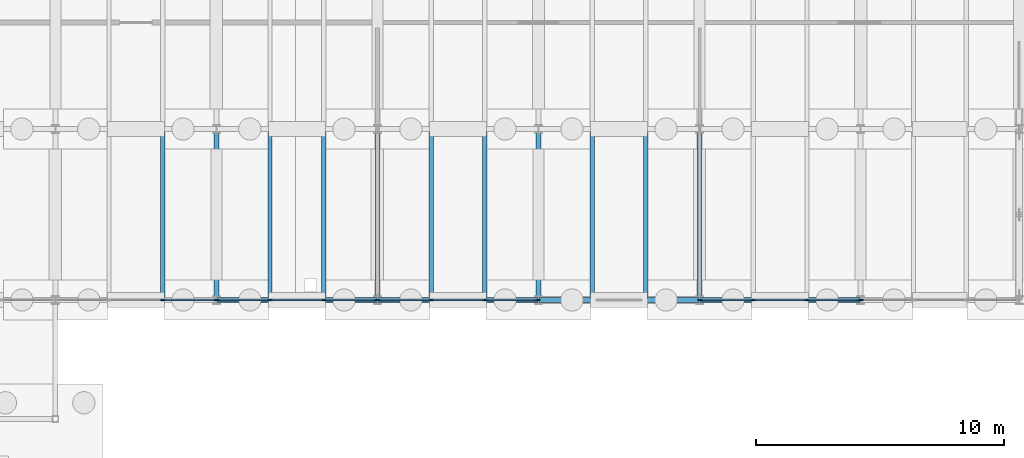
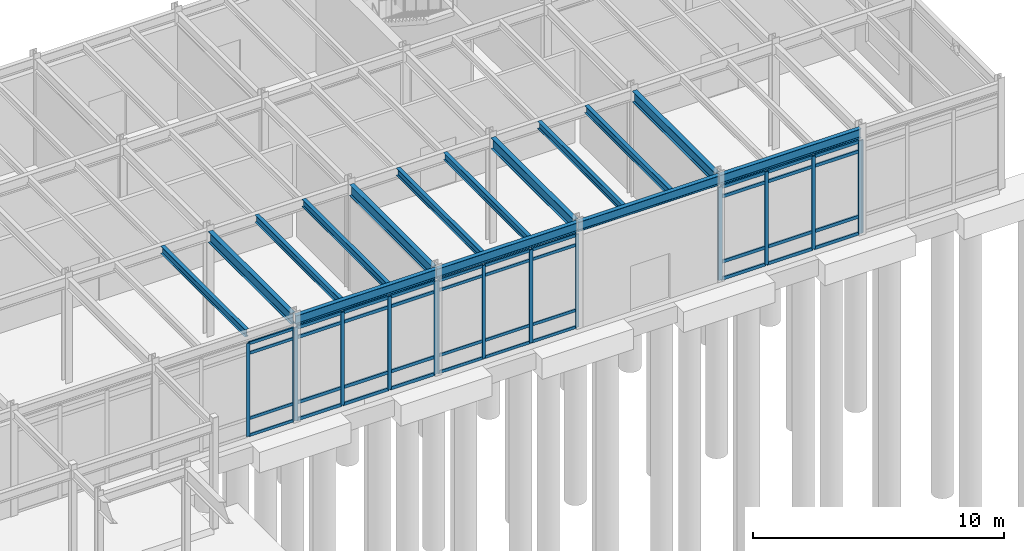
# One storey, part 47 of 82: 55 members, 15 beams, 5 elements without a shape of their own.
"""IFC4 building model written with IfcOpenShell, lengths in metres."""

from ifc_helpers import new_model, si_unit, direction, frame, origin, origin_2d, place, context, subcontext, project, spatial, rectangle, i_section, extrude, material, layer, layer_set, material_profile, profile_set, type_object, element, aggregate, save


model = new_model("IFC4")

# Units and contexts
model_context = context("Model", 3, precision=1e-05, world=origin(), true_north=direction((0.0, 1.0)))
body_context = subcontext(model_context, "Body", "Model", "MODEL_VIEW")
ifc_project = project(units=[si_unit("LENGTHUNIT", "METRE"), si_unit("AREAUNIT", "SQUARE_METRE"), si_unit("VOLUMEUNIT", "CUBIC_METRE"), si_unit("PLANEANGLEUNIT", "RADIAN"), si_unit("MASSUNIT", "GRAM", prefix="KILO")], contexts=[model_context])

# Site, building, storey
site_placement = place(None, origin())
site = spatial("IfcSite", under=ifc_project, at=site_placement, CompositionType="ELEMENT")
building_placement = place(site_placement, origin())
building = spatial("IfcBuilding", under=site, at=building_placement, Name="Trelmorton Wharf Fire Station", CompositionType="ELEMENT")
storey_placement = place(building_placement, origin())
storey = spatial("IfcBuildingStorey", under=building, at=storey_placement, Name="L00", CompositionType="ELEMENT", Elevation=0.0)

# Beams
ifc_material_1 = material(Name="Steel Grade 350", Category="steel")
ifc_material_profile_1 = material_profile(ifc_material_1, i_section(OverallWidth=0.208984375, OverallDepth=0.532958984375, WebThickness=0.01025390625, FlangeThickness=0.015625, FilletRadius=0.013916015625, at=origin_2d()), Name="530UB92.4")
ifc_profile_set_1 = profile_set([ifc_material_profile_1], Name="Steel Grade 350")
beam_type_1 = type_object("IfcBeamType", Name="BM_530UB92", PredefinedType="BEAM", material=ifc_profile_set_1)
for number, where, z_axis, x_axis, name in (
    (1, (130.0, 60.45947265625, 4.863525390625), (0.0, 1.0, 0.0), (-1.0, 0.0, 0.0), "BM-L00-0355"),
    (2, (136.5, 60.45947265625, 4.863525390625), (0.0, 1.0, 0.0), (-1.0, 0.0, 0.0), "BM-L00-0362"),
    (3, (143.0, 60.45947265625, 4.863525390625), (0.0, 1.0, 0.0), (-1.0, 0.0, 0.0), "BM-L00-0369"),
    (4, (149.5, 60.45947265625, 4.863525390625), (0.0, 1.0, 0.0), (-1.0, 0.0, 0.0), "BM-L00-0376"),
):
    element("IfcBeam", number, at=place(storey_placement, frame(where, z_axis=z_axis, x_axis=x_axis)), inside=storey, type_object=beam_type_1, Name=name, PredefinedType="BEAM", context=body_context, shape_type="SweptSolid", body=[
        extrude(i_section(OverallWidth=0.208984375, OverallDepth=0.532958984375, WebThickness=0.01025390625, FlangeThickness=0.015625, FilletRadius=0.013916015625, at=origin_2d()), origin(), (0.0, 0.0, 1.0), 6.5810546875),
    ])

# Curtain wall, members
ifc_material_2 = material(Name="Anodised aluminium AW-6063", Category="aluminium")
ifc_layer = layer(ifc_material_2, 0.159912109375)
ifc_layer_set = layer_set([ifc_layer], Name="Anodised aluminium AW-6063")
curtain_wall_type = type_object("IfcCurtainWallType", Name="CW_CHIC_A", PredefinedType="USERDEFINED", material=ifc_layer_set)
curtain_wall_1_placement = place(storey_placement, origin())
curtain_wall_1 = element("IfcCurtainWall", 5, at=curtain_wall_1_placement, inside=storey, type_object=curtain_wall_type, Name="CW-V4-L00-115", ObjectType="CHICAGO BAY CURTAIN WALL", PredefinedType="USERDEFINED")
ifc_material_profile_2 = material_profile(ifc_material_2, rectangle(XDim=0.06494140625, YDim=0.159912109375, at=origin_2d()), Name="ALU-65x160")
ifc_profile_set_2 = profile_set([ifc_material_profile_2], Name="Anodised aluminium AW-6063")
member_type_1 = type_object("IfcMemberType", Name="CWM_65x160", PredefinedType="MULLION", material=ifc_profile_set_2)
member_1_placement = place(storey_placement, frame((129.965087890625, 60.300048828125, 0.0), z_axis=(0.0, 0.0, 1.0), x_axis=(0.0, -1.0, 0.0)))
member_1 = element("IfcMember", 6, at=member_1_placement, type_object=member_type_1, Name="CW1 mullion 1", PredefinedType="MULLION", context=body_context, shape_type="SweptSolid", body=[
    extrude(rectangle(XDim=0.06494140625, YDim=0.159912109375, at=origin_2d()), origin(), (0.0, 0.0, 1.0), 4.52001953125),
])
member_2_placement = place(storey_placement, frame((127.831787109375, 60.300048828125, 0.0), z_axis=(0.0, 0.0, 1.0), x_axis=(0.0, -1.0, 0.0)))
member_2 = element("IfcMember", 7, at=member_2_placement, type_object=member_type_1, Name="CW1 mullion 2", PredefinedType="MULLION", context=body_context, shape_type="SweptSolid", body=[
    extrude(rectangle(XDim=0.06494140625, YDim=0.159912109375, at=origin_2d()), origin(), (0.0, 0.0, 1.0), 4.52001953125),
])

curtain_wall_2_placement = place(storey_placement, origin())
curtain_wall_2 = element("IfcCurtainWall", 8, at=curtain_wall_2_placement, inside=storey, type_object=curtain_wall_type, Name="CW-V4-L00-117", ObjectType="CHICAGO BAY CURTAIN WALL", PredefinedType="USERDEFINED")
member_3_placement = place(storey_placement, frame((142.965087890625, 60.300048828125, 0.0), z_axis=(0.0, 0.0, 1.0), x_axis=(0.0, -1.0, 0.0)))
member_3 = element("IfcMember", 9, at=member_3_placement, type_object=member_type_1, Name="CW1 mullion 1", PredefinedType="MULLION", context=body_context, shape_type="SweptSolid", body=[
    extrude(rectangle(XDim=0.06494140625, YDim=0.159912109375, at=origin_2d()), origin(), (0.0, 0.0, 1.0), 4.52001953125),
])
member_4_placement = place(storey_placement, frame((140.831787109375, 60.300048828125, 0.0), z_axis=(0.0, 0.0, 1.0), x_axis=(0.0, -1.0, 0.0)))
member_4 = element("IfcMember", 10, at=member_4_placement, type_object=member_type_1, Name="CW1 mullion 2", PredefinedType="MULLION", context=body_context, shape_type="SweptSolid", body=[
    extrude(rectangle(XDim=0.06494140625, YDim=0.159912109375, at=origin_2d()), origin(), (0.0, 0.0, 1.0), 4.52001953125),
])
member_5_placement = place(storey_placement, frame((138.668212890625, 60.300048828125, 0.0), z_axis=(0.0, 0.0, 1.0), x_axis=(0.0, -1.0, 0.0)))
member_5 = element("IfcMember", 11, at=member_5_placement, type_object=member_type_1, Name="CW1 mullion 3", PredefinedType="MULLION", context=body_context, shape_type="SweptSolid", body=[
    extrude(rectangle(XDim=0.06494140625, YDim=0.159912109375, at=origin_2d()), origin(), (0.0, 0.0, 1.0), 4.52001953125),
])
member_6_placement = place(storey_placement, frame((136.534912109375, 60.300048828125, 0.0), z_axis=(0.0, 0.0, 1.0), x_axis=(0.0, -1.0, 0.0)))
member_6 = element("IfcMember", 12, at=member_6_placement, type_object=member_type_1, Name="CW1 mullion 4", PredefinedType="MULLION", context=body_context, shape_type="SweptSolid", body=[
    extrude(rectangle(XDim=0.06494140625, YDim=0.159912109375, at=origin_2d()), origin(), (0.0, 0.0, 1.0), 4.52001953125),
])

# Curtain wall, member
curtain_wall_3_placement = place(storey_placement, origin())
curtain_wall_3 = element("IfcCurtainWall", 13, at=curtain_wall_3_placement, inside=storey, type_object=curtain_wall_type, Name="CW-V4-L00-119", ObjectType="CHICAGO BAY CURTAIN WALL", PredefinedType="USERDEFINED")
member_7_placement = place(storey_placement, frame((156.034912109375, 60.300048828125, 0.0), z_axis=(0.0, 0.0, 1.0), x_axis=(0.0, -1.0, 0.0)))
member_7 = element("IfcMember", 14, at=member_7_placement, type_object=member_type_1, Name="CW1 mullion 4", PredefinedType="MULLION", context=body_context, shape_type="SweptSolid", body=[
    extrude(rectangle(XDim=0.06494140625, YDim=0.159912109375, at=origin_2d()), origin(), (0.0, 0.0, 1.0), 4.52001953125),
])
aggregate(curtain_wall_3, [member_7])

# Curtain wall, members
curtain_wall_4_placement = place(storey_placement, origin())
curtain_wall_4 = element("IfcCurtainWall", 15, at=curtain_wall_4_placement, inside=storey, type_object=curtain_wall_type, Name="CW-V4-L00-116", ObjectType="CHICAGO BAY CURTAIN WALL", PredefinedType="USERDEFINED")
ifc_material_profile_3 = material_profile(ifc_material_2, rectangle(XDim=0.074951171875, YDim=0.175048828125, at=origin_2d()), Name="ALU-75x175")
ifc_profile_set_3 = profile_set([ifc_material_profile_3], Name="Anodised aluminium AW-6063")
member_type_2 = type_object("IfcMemberType", Name="CWM_75x175", PredefinedType="MULLION", material=ifc_profile_set_3)
member_8_placement = place(storey_placement, frame((136.465087890625, 60.300048828125, 0.0), z_axis=(0.0, 0.0, 1.0), x_axis=(0.0, -1.0, 0.0)))
member_8 = element("IfcMember", 16, at=member_8_placement, type_object=member_type_2, Name="CW1 mullion 1", PredefinedType="MULLION", context=body_context, shape_type="SweptSolid", body=[
    extrude(rectangle(XDim=0.074951171875, YDim=0.175048828125, at=origin_2d()), origin(), (0.0, 0.0, 1.0), 4.52001953125),
])
member_9_placement = place(storey_placement, frame((134.331787109375, 60.300048828125, 0.0), z_axis=(0.0, 0.0, 1.0), x_axis=(0.0, -1.0, 0.0)))
member_9 = element("IfcMember", 17, at=member_9_placement, type_object=member_type_2, Name="CW1 mullion 2", PredefinedType="MULLION", context=body_context, shape_type="SweptSolid", body=[
    extrude(rectangle(XDim=0.074951171875, YDim=0.175048828125, at=origin_2d()), origin(), (0.0, 0.0, 1.0), 4.52001953125),
])
member_10_placement = place(storey_placement, frame((132.168212890625, 60.300048828125, 0.0), z_axis=(0.0, 0.0, 1.0), x_axis=(0.0, -1.0, 0.0)))
member_10 = element("IfcMember", 18, at=member_10_placement, type_object=member_type_2, Name="CW1 mullion 3", PredefinedType="MULLION", context=body_context, shape_type="SweptSolid", body=[
    extrude(rectangle(XDim=0.074951171875, YDim=0.175048828125, at=origin_2d()), origin(), (0.0, 0.0, 1.0), 4.52001953125),
])
member_11_placement = place(storey_placement, frame((130.034912109375, 60.300048828125, 0.0), z_axis=(0.0, 0.0, 1.0), x_axis=(0.0, -1.0, 0.0)))
member_11 = element("IfcMember", 19, at=member_11_placement, type_object=member_type_2, Name="CW1 mullion 4", PredefinedType="MULLION", context=body_context, shape_type="SweptSolid", body=[
    extrude(rectangle(XDim=0.074951171875, YDim=0.175048828125, at=origin_2d()), origin(), (0.0, 0.0, 1.0), 4.52001953125),
])

curtain_wall_5_placement = place(storey_placement, origin())
curtain_wall_5 = element("IfcCurtainWall", 20, at=curtain_wall_5_placement, inside=storey, type_object=curtain_wall_type, Name="CW-V4-L00-118", ObjectType="CHICAGO BAY CURTAIN WALL", PredefinedType="USERDEFINED")
member_12_placement = place(storey_placement, frame((155.965087890625, 60.300048828125, 0.0), z_axis=(0.0, 0.0, 1.0), x_axis=(0.0, -1.0, 0.0)))
member_12 = element("IfcMember", 21, at=member_12_placement, type_object=member_type_2, Name="CW1 mullion 1", PredefinedType="MULLION", context=body_context, shape_type="SweptSolid", body=[
    extrude(rectangle(XDim=0.074951171875, YDim=0.175048828125, at=origin_2d()), origin(), (0.0, 0.0, 1.0), 4.52001953125),
])
member_13_placement = place(storey_placement, frame((153.831787109375, 60.300048828125, 0.0), z_axis=(0.0, 0.0, 1.0), x_axis=(0.0, -1.0, 0.0)))
member_13 = element("IfcMember", 22, at=member_13_placement, type_object=member_type_2, Name="CW1 mullion 2", PredefinedType="MULLION", context=body_context, shape_type="SweptSolid", body=[
    extrude(rectangle(XDim=0.074951171875, YDim=0.175048828125, at=origin_2d()), origin(), (0.0, 0.0, 1.0), 4.52001953125),
])
member_14_placement = place(storey_placement, frame((151.668212890625, 60.300048828125, 0.0), z_axis=(0.0, 0.0, 1.0), x_axis=(0.0, -1.0, 0.0)))
member_14 = element("IfcMember", 23, at=member_14_placement, type_object=member_type_2, Name="CW1 mullion 3", PredefinedType="MULLION", context=body_context, shape_type="SweptSolid", body=[
    extrude(rectangle(XDim=0.074951171875, YDim=0.175048828125, at=origin_2d()), origin(), (0.0, 0.0, 1.0), 4.52001953125),
])
member_15_placement = place(storey_placement, frame((149.534912109375, 60.300048828125, 0.0), z_axis=(0.0, 0.0, 1.0), x_axis=(0.0, -1.0, 0.0)))
member_15 = element("IfcMember", 24, at=member_15_placement, type_object=member_type_2, Name="CW1 mullion 4", PredefinedType="MULLION", context=body_context, shape_type="SweptSolid", body=[
    extrude(rectangle(XDim=0.074951171875, YDim=0.175048828125, at=origin_2d()), origin(), (0.0, 0.0, 1.0), 4.52001953125),
])

# Member
ifc_material_profile_4 = material_profile(ifc_material_2, rectangle(XDim=0.06494140625, YDim=0.139892578125, at=origin_2d()), Name="ALU-65x140")
ifc_profile_set_4 = profile_set([ifc_material_profile_4], Name="Anodised aluminium AW-6063")
member_type_3 = type_object("IfcMemberType", Name="CWT_65x140", PredefinedType="USERDEFINED", material=ifc_profile_set_4)
member_16_placement = place(storey_placement, frame((129.93505859375, 60.300048828125, 0.030029296875), z_axis=(-1.0, 0.0, 0.0), x_axis=(0.0, -1.0, 0.0)))
member_16 = element("IfcMember", 25, at=member_16_placement, type_object=member_type_3, Name="CW1 transom 1.1", ObjectType="TRANSOM", PredefinedType="USERDEFINED", context=body_context, shape_type="SweptSolid", body=[
    extrude(rectangle(XDim=0.06494140625, YDim=0.139892578125, at=origin_2d()), origin(), (0.0, 0.0, 1.0), 2.073486328125),
])

member_17_placement = place(storey_placement, frame((129.93505859375, 60.300048828125, 0.85009765625), z_axis=(-1.0, 0.0, 0.0), x_axis=(0.0, -1.0, 0.0)))
member_17 = element("IfcMember", 26, at=member_17_placement, type_object=member_type_3, Name="CW1 transom 1.2", ObjectType="TRANSOM", PredefinedType="USERDEFINED", context=body_context, shape_type="SweptSolid", body=[
    extrude(rectangle(XDim=0.06494140625, YDim=0.139892578125, at=origin_2d()), origin(), (0.0, 0.0, 1.0), 2.073486328125),
])

member_18_placement = place(storey_placement, frame((129.93505859375, 60.300048828125, 4.02001953125), z_axis=(-1.0, 0.0, 0.0), x_axis=(0.0, -1.0, 0.0)))
member_18 = element("IfcMember", 27, at=member_18_placement, type_object=member_type_3, Name="CW1 transom 1.3", ObjectType="TRANSOM", PredefinedType="USERDEFINED", context=body_context, shape_type="SweptSolid", body=[
    extrude(rectangle(XDim=0.06494140625, YDim=0.139892578125, at=origin_2d()), origin(), (0.0, 0.0, 1.0), 2.073486328125),
])

member_19_placement = place(storey_placement, frame((129.93505859375, 60.300048828125, 4.489990234375), z_axis=(-1.0, 0.0, 0.0), x_axis=(0.0, -1.0, 0.0)))
member_19 = element("IfcMember", 28, at=member_19_placement, type_object=member_type_3, Name="CW1 transom 1.4", ObjectType="TRANSOM", PredefinedType="USERDEFINED", context=body_context, shape_type="SweptSolid", body=[
    extrude(rectangle(XDim=0.06494140625, YDim=0.139892578125, at=origin_2d()), origin(), (0.0, 0.0, 1.0), 2.073486328125),
])

aggregate(curtain_wall_1, [member_1, member_2, member_16, member_17, member_18, member_19])

member_20_placement = place(storey_placement, frame((142.93505859375, 60.300048828125, 0.030029296875), z_axis=(-1.0, 0.0, 0.0), x_axis=(0.0, -1.0, 0.0)))
member_20 = element("IfcMember", 29, at=member_20_placement, type_object=member_type_3, Name="CW1 transom 1.1", ObjectType="TRANSOM", PredefinedType="USERDEFINED", context=body_context, shape_type="SweptSolid", body=[
    extrude(rectangle(XDim=0.06494140625, YDim=0.139892578125, at=origin_2d()), origin(), (0.0, 0.0, 1.0), 2.073486328125),
])

member_21_placement = place(storey_placement, frame((142.93505859375, 60.300048828125, 0.85009765625), z_axis=(-1.0, 0.0, 0.0), x_axis=(0.0, -1.0, 0.0)))
member_21 = element("IfcMember", 30, at=member_21_placement, type_object=member_type_3, Name="CW1 transom 1.2", ObjectType="TRANSOM", PredefinedType="USERDEFINED", context=body_context, shape_type="SweptSolid", body=[
    extrude(rectangle(XDim=0.06494140625, YDim=0.139892578125, at=origin_2d()), origin(), (0.0, 0.0, 1.0), 2.073486328125),
])

member_22_placement = place(storey_placement, frame((142.93505859375, 60.300048828125, 4.02001953125), z_axis=(-1.0, 0.0, 0.0), x_axis=(0.0, -1.0, 0.0)))
member_22 = element("IfcMember", 31, at=member_22_placement, type_object=member_type_3, Name="CW1 transom 1.3", ObjectType="TRANSOM", PredefinedType="USERDEFINED", context=body_context, shape_type="SweptSolid", body=[
    extrude(rectangle(XDim=0.06494140625, YDim=0.139892578125, at=origin_2d()), origin(), (0.0, 0.0, 1.0), 2.073486328125),
])

member_23_placement = place(storey_placement, frame((142.93505859375, 60.300048828125, 4.489990234375), z_axis=(-1.0, 0.0, 0.0), x_axis=(0.0, -1.0, 0.0)))
member_23 = element("IfcMember", 32, at=member_23_placement, type_object=member_type_3, Name="CW1 transom 1.4", ObjectType="TRANSOM", PredefinedType="USERDEFINED", context=body_context, shape_type="SweptSolid", body=[
    extrude(rectangle(XDim=0.06494140625, YDim=0.139892578125, at=origin_2d()), origin(), (0.0, 0.0, 1.0), 2.073486328125),
])

member_24_placement = place(storey_placement, frame((140.8017578125, 60.300048828125, 0.030029296875), z_axis=(-1.0, 0.0, 0.0), x_axis=(0.0, -1.0, 0.0)))
member_24 = element("IfcMember", 33, at=member_24_placement, type_object=member_type_3, Name="CW1 transom 2.1", ObjectType="TRANSOM", PredefinedType="USERDEFINED", context=body_context, shape_type="SweptSolid", body=[
    extrude(rectangle(XDim=0.06494140625, YDim=0.139892578125, at=origin_2d()), origin(), (0.0, 0.0, 1.0), 2.103515625),
])

member_25_placement = place(storey_placement, frame((140.8017578125, 60.300048828125, 0.85009765625), z_axis=(-1.0, 0.0, 0.0), x_axis=(0.0, -1.0, 0.0)))
member_25 = element("IfcMember", 34, at=member_25_placement, type_object=member_type_3, Name="CW1 transom 2.2", ObjectType="TRANSOM", PredefinedType="USERDEFINED", context=body_context, shape_type="SweptSolid", body=[
    extrude(rectangle(XDim=0.06494140625, YDim=0.139892578125, at=origin_2d()), origin(), (0.0, 0.0, 1.0), 2.103515625),
])

member_26_placement = place(storey_placement, frame((140.8017578125, 60.300048828125, 4.02001953125), z_axis=(-1.0, 0.0, 0.0), x_axis=(0.0, -1.0, 0.0)))
member_26 = element("IfcMember", 35, at=member_26_placement, type_object=member_type_3, Name="CW1 transom 2.3", ObjectType="TRANSOM", PredefinedType="USERDEFINED", context=body_context, shape_type="SweptSolid", body=[
    extrude(rectangle(XDim=0.06494140625, YDim=0.139892578125, at=origin_2d()), origin(), (0.0, 0.0, 1.0), 2.103515625),
])

member_27_placement = place(storey_placement, frame((140.8017578125, 60.300048828125, 4.489990234375), z_axis=(-1.0, 0.0, 0.0), x_axis=(0.0, -1.0, 0.0)))
member_27 = element("IfcMember", 36, at=member_27_placement, type_object=member_type_3, Name="CW1 transom 2.4", ObjectType="TRANSOM", PredefinedType="USERDEFINED", context=body_context, shape_type="SweptSolid", body=[
    extrude(rectangle(XDim=0.06494140625, YDim=0.139892578125, at=origin_2d()), origin(), (0.0, 0.0, 1.0), 2.103515625),
])

member_28_placement = place(storey_placement, frame((138.638427734375, 60.300048828125, 0.030029296875), z_axis=(-1.0, 0.0, 0.0), x_axis=(0.0, -1.0, 0.0)))
member_28 = element("IfcMember", 37, at=member_28_placement, type_object=member_type_3, Name="CW1 transom 3.1", ObjectType="TRANSOM", PredefinedType="USERDEFINED", context=body_context, shape_type="SweptSolid", body=[
    extrude(rectangle(XDim=0.06494140625, YDim=0.139892578125, at=origin_2d()), origin(), (0.0, 0.0, 1.0), 2.073486328125),
])

member_29_placement = place(storey_placement, frame((138.638427734375, 60.300048828125, 0.85009765625), z_axis=(-1.0, 0.0, 0.0), x_axis=(0.0, -1.0, 0.0)))
member_29 = element("IfcMember", 38, at=member_29_placement, type_object=member_type_3, Name="CW1 transom 3.2", ObjectType="TRANSOM", PredefinedType="USERDEFINED", context=body_context, shape_type="SweptSolid", body=[
    extrude(rectangle(XDim=0.06494140625, YDim=0.139892578125, at=origin_2d()), origin(), (0.0, 0.0, 1.0), 2.073486328125),
])

member_30_placement = place(storey_placement, frame((138.638427734375, 60.300048828125, 4.02001953125), z_axis=(-1.0, 0.0, 0.0), x_axis=(0.0, -1.0, 0.0)))
member_30 = element("IfcMember", 39, at=member_30_placement, type_object=member_type_3, Name="CW1 transom 3.3", ObjectType="TRANSOM", PredefinedType="USERDEFINED", context=body_context, shape_type="SweptSolid", body=[
    extrude(rectangle(XDim=0.06494140625, YDim=0.139892578125, at=origin_2d()), origin(), (0.0, 0.0, 1.0), 2.073486328125),
])

member_31_placement = place(storey_placement, frame((138.638427734375, 60.300048828125, 4.489990234375), z_axis=(-1.0, 0.0, 0.0), x_axis=(0.0, -1.0, 0.0)))
member_31 = element("IfcMember", 40, at=member_31_placement, type_object=member_type_3, Name="CW1 transom 3.4", ObjectType="TRANSOM", PredefinedType="USERDEFINED", context=body_context, shape_type="SweptSolid", body=[
    extrude(rectangle(XDim=0.06494140625, YDim=0.139892578125, at=origin_2d()), origin(), (0.0, 0.0, 1.0), 2.073486328125),
])

aggregate(curtain_wall_2, [member_3, member_4, member_5, member_6, member_20, member_21, member_22, member_23, member_24, member_25, member_26, member_27, member_28, member_29, member_30, member_31])

ifc_material_profile_5 = material_profile(ifc_material_2, rectangle(XDim=0.074951171875, YDim=0.155029296875, at=origin_2d()), Name="ALU-75x155")
ifc_profile_set_5 = profile_set([ifc_material_profile_5], Name="Anodised aluminium AW-6063")
member_type_4 = type_object("IfcMemberType", Name="CWT_75x155", PredefinedType="USERDEFINED", material=ifc_profile_set_5)
member_32_placement = place(storey_placement, frame((136.43505859375, 60.300048828125, 0.030029296875), z_axis=(-1.0, 0.0, 0.0), x_axis=(0.0, -1.0, 0.0)))
member_32 = element("IfcMember", 41, at=member_32_placement, type_object=member_type_4, Name="CW1 transom 1.1", ObjectType="TRANSOM", PredefinedType="USERDEFINED", context=body_context, shape_type="SweptSolid", body=[
    extrude(rectangle(XDim=0.074951171875, YDim=0.155029296875, at=origin_2d()), origin(), (0.0, 0.0, 1.0), 2.073486328125),
])

member_33_placement = place(storey_placement, frame((136.43505859375, 60.300048828125, 0.85009765625), z_axis=(-1.0, 0.0, 0.0), x_axis=(0.0, -1.0, 0.0)))
member_33 = element("IfcMember", 42, at=member_33_placement, type_object=member_type_4, Name="CW1 transom 1.2", ObjectType="TRANSOM", PredefinedType="USERDEFINED", context=body_context, shape_type="SweptSolid", body=[
    extrude(rectangle(XDim=0.074951171875, YDim=0.155029296875, at=origin_2d()), origin(), (0.0, 0.0, 1.0), 2.073486328125),
])

member_34_placement = place(storey_placement, frame((136.43505859375, 60.300048828125, 4.02001953125), z_axis=(-1.0, 0.0, 0.0), x_axis=(0.0, -1.0, 0.0)))
member_34 = element("IfcMember", 43, at=member_34_placement, type_object=member_type_4, Name="CW1 transom 1.3", ObjectType="TRANSOM", PredefinedType="USERDEFINED", context=body_context, shape_type="SweptSolid", body=[
    extrude(rectangle(XDim=0.074951171875, YDim=0.155029296875, at=origin_2d()), origin(), (0.0, 0.0, 1.0), 2.073486328125),
])

member_35_placement = place(storey_placement, frame((136.43505859375, 60.300048828125, 4.489990234375), z_axis=(-1.0, 0.0, 0.0), x_axis=(0.0, -1.0, 0.0)))
member_35 = element("IfcMember", 44, at=member_35_placement, type_object=member_type_4, Name="CW1 transom 1.4", ObjectType="TRANSOM", PredefinedType="USERDEFINED", context=body_context, shape_type="SweptSolid", body=[
    extrude(rectangle(XDim=0.074951171875, YDim=0.155029296875, at=origin_2d()), origin(), (0.0, 0.0, 1.0), 2.073486328125),
])

member_36_placement = place(storey_placement, frame((134.3017578125, 60.300048828125, 0.030029296875), z_axis=(-1.0, 0.0, 0.0), x_axis=(0.0, -1.0, 0.0)))
member_36 = element("IfcMember", 45, at=member_36_placement, type_object=member_type_4, Name="CW1 transom 2.1", ObjectType="TRANSOM", PredefinedType="USERDEFINED", context=body_context, shape_type="SweptSolid", body=[
    extrude(rectangle(XDim=0.074951171875, YDim=0.155029296875, at=origin_2d()), origin(), (0.0, 0.0, 1.0), 2.103515625),
])

member_37_placement = place(storey_placement, frame((134.3017578125, 60.300048828125, 0.85009765625), z_axis=(-1.0, 0.0, 0.0), x_axis=(0.0, -1.0, 0.0)))
member_37 = element("IfcMember", 46, at=member_37_placement, type_object=member_type_4, Name="CW1 transom 2.2", ObjectType="TRANSOM", PredefinedType="USERDEFINED", context=body_context, shape_type="SweptSolid", body=[
    extrude(rectangle(XDim=0.074951171875, YDim=0.155029296875, at=origin_2d()), origin(), (0.0, 0.0, 1.0), 2.103515625),
])

member_38_placement = place(storey_placement, frame((134.3017578125, 60.300048828125, 4.02001953125), z_axis=(-1.0, 0.0, 0.0), x_axis=(0.0, -1.0, 0.0)))
member_38 = element("IfcMember", 47, at=member_38_placement, type_object=member_type_4, Name="CW1 transom 2.3", ObjectType="TRANSOM", PredefinedType="USERDEFINED", context=body_context, shape_type="SweptSolid", body=[
    extrude(rectangle(XDim=0.074951171875, YDim=0.155029296875, at=origin_2d()), origin(), (0.0, 0.0, 1.0), 2.103515625),
])

member_39_placement = place(storey_placement, frame((134.3017578125, 60.300048828125, 4.489990234375), z_axis=(-1.0, 0.0, 0.0), x_axis=(0.0, -1.0, 0.0)))
member_39 = element("IfcMember", 48, at=member_39_placement, type_object=member_type_4, Name="CW1 transom 2.4", ObjectType="TRANSOM", PredefinedType="USERDEFINED", context=body_context, shape_type="SweptSolid", body=[
    extrude(rectangle(XDim=0.074951171875, YDim=0.155029296875, at=origin_2d()), origin(), (0.0, 0.0, 1.0), 2.103515625),
])

member_40_placement = place(storey_placement, frame((132.138427734375, 60.300048828125, 0.030029296875), z_axis=(-1.0, 0.0, 0.0), x_axis=(0.0, -1.0, 0.0)))
member_40 = element("IfcMember", 49, at=member_40_placement, type_object=member_type_4, Name="CW1 transom 3.1", ObjectType="TRANSOM", PredefinedType="USERDEFINED", context=body_context, shape_type="SweptSolid", body=[
    extrude(rectangle(XDim=0.074951171875, YDim=0.155029296875, at=origin_2d()), origin(), (0.0, 0.0, 1.0), 2.073486328125),
])

member_41_placement = place(storey_placement, frame((132.138427734375, 60.300048828125, 0.85009765625), z_axis=(-1.0, 0.0, 0.0), x_axis=(0.0, -1.0, 0.0)))
member_41 = element("IfcMember", 50, at=member_41_placement, type_object=member_type_4, Name="CW1 transom 3.2", ObjectType="TRANSOM", PredefinedType="USERDEFINED", context=body_context, shape_type="SweptSolid", body=[
    extrude(rectangle(XDim=0.074951171875, YDim=0.155029296875, at=origin_2d()), origin(), (0.0, 0.0, 1.0), 2.073486328125),
])

member_42_placement = place(storey_placement, frame((132.138427734375, 60.300048828125, 4.02001953125), z_axis=(-1.0, 0.0, 0.0), x_axis=(0.0, -1.0, 0.0)))
member_42 = element("IfcMember", 51, at=member_42_placement, type_object=member_type_4, Name="CW1 transom 3.3", ObjectType="TRANSOM", PredefinedType="USERDEFINED", context=body_context, shape_type="SweptSolid", body=[
    extrude(rectangle(XDim=0.074951171875, YDim=0.155029296875, at=origin_2d()), origin(), (0.0, 0.0, 1.0), 2.073486328125),
])

member_43_placement = place(storey_placement, frame((132.138427734375, 60.300048828125, 4.489990234375), z_axis=(-1.0, 0.0, 0.0), x_axis=(0.0, -1.0, 0.0)))
member_43 = element("IfcMember", 52, at=member_43_placement, type_object=member_type_4, Name="CW1 transom 3.4", ObjectType="TRANSOM", PredefinedType="USERDEFINED", context=body_context, shape_type="SweptSolid", body=[
    extrude(rectangle(XDim=0.074951171875, YDim=0.155029296875, at=origin_2d()), origin(), (0.0, 0.0, 1.0), 2.073486328125),
])

aggregate(curtain_wall_4, [member_8, member_9, member_10, member_11, member_32, member_33, member_34, member_35, member_36, member_37, member_38, member_39, member_40, member_41, member_42, member_43])

member_44_placement = place(storey_placement, frame((155.93505859375, 60.300048828125, 0.030029296875), z_axis=(-1.0, 0.0, 0.0), x_axis=(0.0, -1.0, 0.0)))
member_44 = element("IfcMember", 53, at=member_44_placement, type_object=member_type_4, Name="CW1 transom 1.1", ObjectType="TRANSOM", PredefinedType="USERDEFINED", context=body_context, shape_type="SweptSolid", body=[
    extrude(rectangle(XDim=0.074951171875, YDim=0.155029296875, at=origin_2d()), origin(), (0.0, 0.0, 1.0), 2.073486328125),
])

member_45_placement = place(storey_placement, frame((155.93505859375, 60.300048828125, 0.85009765625), z_axis=(-1.0, 0.0, 0.0), x_axis=(0.0, -1.0, 0.0)))
member_45 = element("IfcMember", 54, at=member_45_placement, type_object=member_type_4, Name="CW1 transom 1.2", ObjectType="TRANSOM", PredefinedType="USERDEFINED", context=body_context, shape_type="SweptSolid", body=[
    extrude(rectangle(XDim=0.074951171875, YDim=0.155029296875, at=origin_2d()), origin(), (0.0, 0.0, 1.0), 2.073486328125),
])

member_46_placement = place(storey_placement, frame((155.93505859375, 60.300048828125, 4.02001953125), z_axis=(-1.0, 0.0, 0.0), x_axis=(0.0, -1.0, 0.0)))
member_46 = element("IfcMember", 55, at=member_46_placement, type_object=member_type_4, Name="CW1 transom 1.3", ObjectType="TRANSOM", PredefinedType="USERDEFINED", context=body_context, shape_type="SweptSolid", body=[
    extrude(rectangle(XDim=0.074951171875, YDim=0.155029296875, at=origin_2d()), origin(), (0.0, 0.0, 1.0), 2.073486328125),
])

member_47_placement = place(storey_placement, frame((155.93505859375, 60.300048828125, 4.489990234375), z_axis=(-1.0, 0.0, 0.0), x_axis=(0.0, -1.0, 0.0)))
member_47 = element("IfcMember", 56, at=member_47_placement, type_object=member_type_4, Name="CW1 transom 1.4", ObjectType="TRANSOM", PredefinedType="USERDEFINED", context=body_context, shape_type="SweptSolid", body=[
    extrude(rectangle(XDim=0.074951171875, YDim=0.155029296875, at=origin_2d()), origin(), (0.0, 0.0, 1.0), 2.073486328125),
])

member_48_placement = place(storey_placement, frame((153.8017578125, 60.300048828125, 0.030029296875), z_axis=(-1.0, 0.0, 0.0), x_axis=(0.0, -1.0, 0.0)))
member_48 = element("IfcMember", 57, at=member_48_placement, type_object=member_type_4, Name="CW1 transom 2.1", ObjectType="TRANSOM", PredefinedType="USERDEFINED", context=body_context, shape_type="SweptSolid", body=[
    extrude(rectangle(XDim=0.074951171875, YDim=0.155029296875, at=origin_2d()), origin(), (0.0, 0.0, 1.0), 2.103515625),
])

member_49_placement = place(storey_placement, frame((153.8017578125, 60.300048828125, 0.85009765625), z_axis=(-1.0, 0.0, 0.0), x_axis=(0.0, -1.0, 0.0)))
member_49 = element("IfcMember", 58, at=member_49_placement, type_object=member_type_4, Name="CW1 transom 2.2", ObjectType="TRANSOM", PredefinedType="USERDEFINED", context=body_context, shape_type="SweptSolid", body=[
    extrude(rectangle(XDim=0.074951171875, YDim=0.155029296875, at=origin_2d()), origin(), (0.0, 0.0, 1.0), 2.103515625),
])

member_50_placement = place(storey_placement, frame((153.8017578125, 60.300048828125, 4.02001953125), z_axis=(-1.0, 0.0, 0.0), x_axis=(0.0, -1.0, 0.0)))
member_50 = element("IfcMember", 59, at=member_50_placement, type_object=member_type_4, Name="CW1 transom 2.3", ObjectType="TRANSOM", PredefinedType="USERDEFINED", context=body_context, shape_type="SweptSolid", body=[
    extrude(rectangle(XDim=0.074951171875, YDim=0.155029296875, at=origin_2d()), origin(), (0.0, 0.0, 1.0), 2.103515625),
])

member_51_placement = place(storey_placement, frame((153.8017578125, 60.300048828125, 4.489990234375), z_axis=(-1.0, 0.0, 0.0), x_axis=(0.0, -1.0, 0.0)))
member_51 = element("IfcMember", 60, at=member_51_placement, type_object=member_type_4, Name="CW1 transom 2.4", ObjectType="TRANSOM", PredefinedType="USERDEFINED", context=body_context, shape_type="SweptSolid", body=[
    extrude(rectangle(XDim=0.074951171875, YDim=0.155029296875, at=origin_2d()), origin(), (0.0, 0.0, 1.0), 2.103515625),
])

member_52_placement = place(storey_placement, frame((151.638427734375, 60.300048828125, 0.030029296875), z_axis=(-1.0, 0.0, 0.0), x_axis=(0.0, -1.0, 0.0)))
member_52 = element("IfcMember", 61, at=member_52_placement, type_object=member_type_4, Name="CW1 transom 3.1", ObjectType="TRANSOM", PredefinedType="USERDEFINED", context=body_context, shape_type="SweptSolid", body=[
    extrude(rectangle(XDim=0.074951171875, YDim=0.155029296875, at=origin_2d()), origin(), (0.0, 0.0, 1.0), 2.073486328125),
])

member_53_placement = place(storey_placement, frame((151.638427734375, 60.300048828125, 0.85009765625), z_axis=(-1.0, 0.0, 0.0), x_axis=(0.0, -1.0, 0.0)))
member_53 = element("IfcMember", 62, at=member_53_placement, type_object=member_type_4, Name="CW1 transom 3.2", ObjectType="TRANSOM", PredefinedType="USERDEFINED", context=body_context, shape_type="SweptSolid", body=[
    extrude(rectangle(XDim=0.074951171875, YDim=0.155029296875, at=origin_2d()), origin(), (0.0, 0.0, 1.0), 2.073486328125),
])

member_54_placement = place(storey_placement, frame((151.638427734375, 60.300048828125, 4.02001953125), z_axis=(-1.0, 0.0, 0.0), x_axis=(0.0, -1.0, 0.0)))
member_54 = element("IfcMember", 63, at=member_54_placement, type_object=member_type_4, Name="CW1 transom 3.3", ObjectType="TRANSOM", PredefinedType="USERDEFINED", context=body_context, shape_type="SweptSolid", body=[
    extrude(rectangle(XDim=0.074951171875, YDim=0.155029296875, at=origin_2d()), origin(), (0.0, 0.0, 1.0), 2.073486328125),
])

member_55_placement = place(storey_placement, frame((151.638427734375, 60.300048828125, 4.489990234375), z_axis=(-1.0, 0.0, 0.0), x_axis=(0.0, -1.0, 0.0)))
member_55 = element("IfcMember", 64, at=member_55_placement, type_object=member_type_4, Name="CW1 transom 3.4", ObjectType="TRANSOM", PredefinedType="USERDEFINED", context=body_context, shape_type="SweptSolid", body=[
    extrude(rectangle(XDim=0.074951171875, YDim=0.155029296875, at=origin_2d()), origin(), (0.0, 0.0, 1.0), 2.073486328125),
])

aggregate(curtain_wall_5, [member_12, member_13, member_14, member_15, member_44, member_45, member_46, member_47, member_48, member_49, member_50, member_51, member_52, member_53, member_54, member_55])

# Beams
ifc_material_profile_6 = material_profile(ifc_material_1, i_section(OverallWidth=0.172119140625, OverallDepth=0.35888671875, WebThickness=0.008056640625, FlangeThickness=0.012939453125, FilletRadius=0.011474609375, at=origin_2d()), Name="360UB56.7")
ifc_profile_set_6 = profile_set([ifc_material_profile_6], Name="Steel Grade 350")
beam_type_2 = type_object("IfcBeamType", Name="JS_360UB57", PredefinedType="JOIST", material=ifc_profile_set_6)
for number, where, z_axis, x_axis, name in (
    (65, (127.833251953125, 60.389892578125, 4.950439453125), (0.0, 1.0, 0.0), (-1.0, 0.0, 0.0), "JS-L00-0090"),
    (66, (132.166748046875, 60.389892578125, 4.950439453125), (0.0, 1.0, 0.0), (-1.0, 0.0, 0.0), "JS-L00-0099"),
    (67, (134.333251953125, 60.389892578125, 4.950439453125), (0.0, 1.0, 0.0), (-1.0, 0.0, 0.0), "JS-L00-0100"),
    (68, (138.666748046875, 60.389892578125, 4.950439453125), (0.0, 1.0, 0.0), (-1.0, 0.0, 0.0), "JS-L00-0107"),
    (69, (140.833251953125, 60.389892578125, 4.950439453125), (0.0, 1.0, 0.0), (-1.0, 0.0, 0.0), "JS-L00-0108"),
    (70, (145.166748046875, 60.389892578125, 4.950439453125), (0.0, 1.0, 0.0), (-1.0, 0.0, 0.0), "JS-L00-0115"),
    (71, (147.333251953125, 60.389892578125, 4.950439453125), (0.0, 1.0, 0.0), (-1.0, 0.0, 0.0), "JS-L00-0116"),
):
    element("IfcBeam", number, at=place(storey_placement, frame(where, z_axis=z_axis, x_axis=x_axis)), inside=storey, type_object=beam_type_2, Name=name, PredefinedType="JOIST", context=body_context, shape_type="SweptSolid", body=[
        extrude(i_section(OverallWidth=0.172119140625, OverallDepth=0.35888671875, WebThickness=0.008056640625, FlangeThickness=0.012939453125, FilletRadius=0.011474609375, at=origin_2d()), origin(), (0.0, 0.0, 1.0), 6.72021484375),
    ])
ifc_material_profile_7 = material_profile(ifc_material_1, i_section(OverallWidth=0.18994140625, OverallDepth=0.45703125, WebThickness=0.009033203125, FlangeThickness=0.014404296875, FilletRadius=0.011474609375, at=origin_2d()), Name="460UB74.6")
ifc_profile_set_7 = profile_set([ifc_material_profile_7], Name="Steel Grade 350")
beam_type_3 = type_object("IfcBeamType", Name="SP_460UB75", PredefinedType="SPANDREL", material=ifc_profile_set_7)
for number, where, z_axis, x_axis, name in (
    (72, (130.005859375, 60.300048828125, 4.901611328125), (1.0, 0.0, 0.0), (0.0, 1.0, 0.0), "BM-L00-0145"),
    (73, (136.505859375, 60.300048828125, 4.901611328125), (1.0, 0.0, 0.0), (0.0, 1.0, 0.0), "BM-L00-0146"),
    (74, (143.005859375, 60.300048828125, 4.901611328125), (1.0, 0.0, 0.0), (0.0, 1.0, 0.0), "BM-L00-0147"),
    (75, (149.505859375, 60.300048828125, 4.901611328125), (1.0, 0.0, 0.0), (0.0, 1.0, 0.0), "BM-L00-0148"),
):
    element("IfcBeam", number, at=place(storey_placement, frame(where, z_axis=z_axis, x_axis=x_axis)), inside=storey, type_object=beam_type_3, Name=name, PredefinedType="SPANDREL", context=body_context, shape_type="SweptSolid", body=[
        extrude(i_section(OverallWidth=0.18994140625, OverallDepth=0.45703125, WebThickness=0.009033203125, FlangeThickness=0.014404296875, FilletRadius=0.011474609375, at=origin_2d()), origin(), (0.0, 0.0, 1.0), 6.48828125),
    ])

save(model, "model.ifc")
